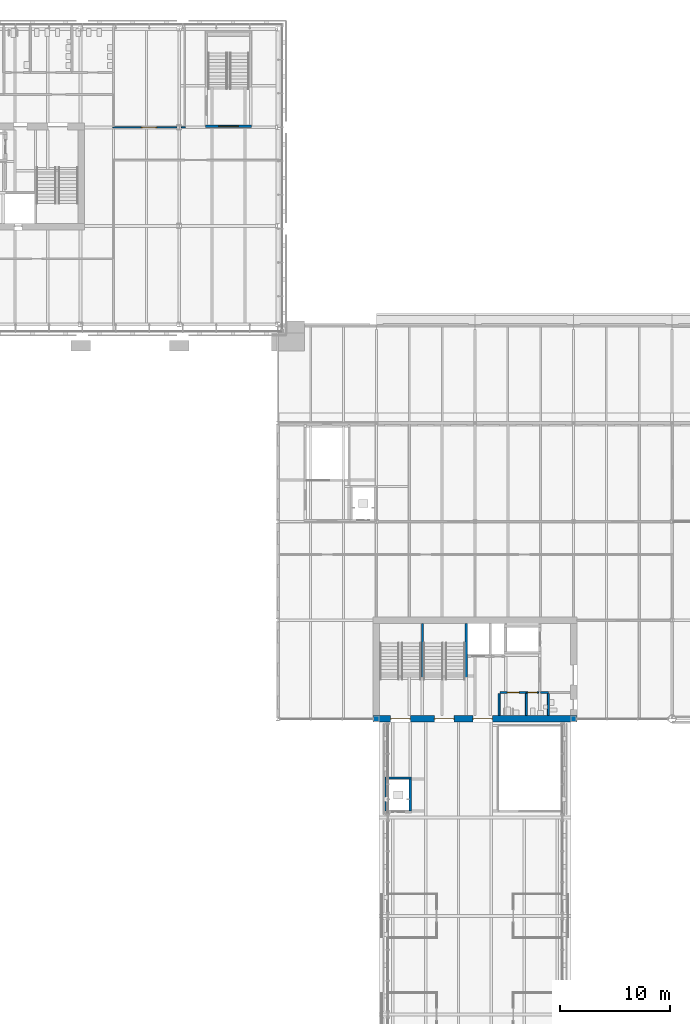
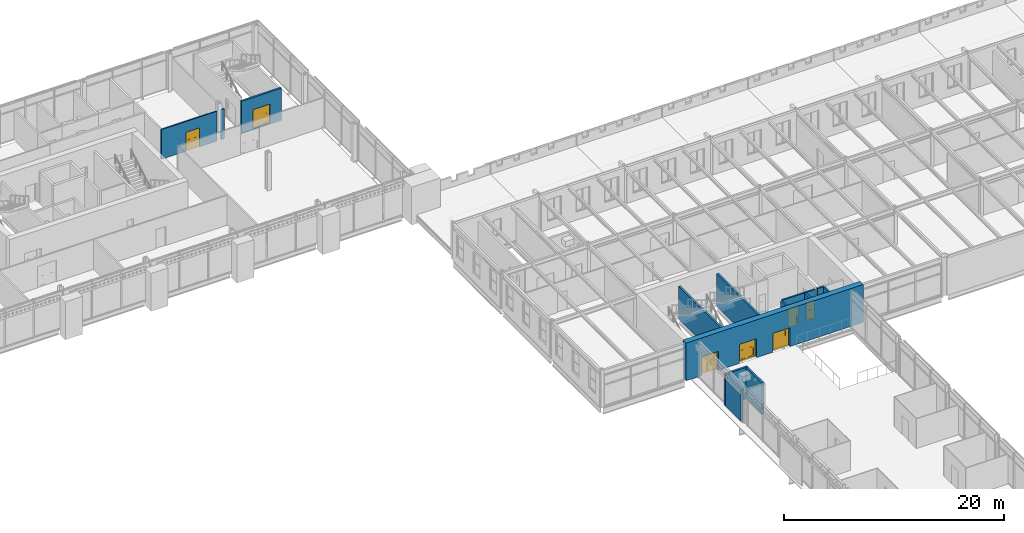
# One storey, part 70 of 123: 15 walls, 7 doors, 7 openings.
"""IFC4 building model written with IfcOpenShell, lengths in metres."""

from ifc_helpers import new_model, si_unit, direction, frame, frame_2d, origin, place, context, subcontext, project, spatial, polyline, rectangle, outline, extrude, material, layer, layer_set, type_object, element, fill, save


model = new_model("IFC4")

# Units and contexts
model_context = context("Model", 3, precision=1e-05, world=origin(), true_north=direction((0.0, 1.0)))
body_context = subcontext(model_context, "Body", "Model", "MODEL_VIEW")
ifc_project = project(units=[si_unit("LENGTHUNIT", "METRE"), si_unit("AREAUNIT", "SQUARE_METRE"), si_unit("VOLUMEUNIT", "CUBIC_METRE"), si_unit("PLANEANGLEUNIT", "RADIAN"), si_unit("MASSUNIT", "GRAM", prefix="KILO")], contexts=[model_context])

# Site, building, storey
site_placement = place(None, origin())
site = spatial("IfcSite", under=ifc_project, at=site_placement, CompositionType="ELEMENT")
building_placement = place(site_placement, origin())
building = spatial("IfcBuilding", under=site, at=building_placement, Name="Baradari Gate Terminus", CompositionType="ELEMENT")
storey_placement = place(building_placement, frame((0.0, 0.0, 7.5)))
storey = spatial("IfcBuildingStorey", under=building, at=storey_placement, Name="L01", CompositionType="ELEMENT", Elevation=7.5)

# Wall, openings, doors
ifc_material_1 = material(Name="Concrete C40/50", Category="concrete")
ifc_layer_1 = layer(ifc_material_1, 0.60009765625)
ifc_layer_set_1 = layer_set([ifc_layer_1], Name="Concrete C40/50")
wall_type_1 = type_object("IfcWallType", Name="Abutment core wall CWL04 600", PredefinedType="SOLIDWALL", material=ifc_layer_set_1)
wall_1_placement = place(storey_placement, frame((71.699951171875, 81.0, 0.0), z_axis=(0.0, 0.0, 1.0), x_axis=(1.0, 0.0, 0.0)))
wall_1 = element("IfcWall", 1, at=wall_1_placement, inside=storey, type_object=wall_type_1, Name="Abutment core wall GN S L01", PredefinedType="SOLIDWALL", context=body_context, shape_type="SweptSolid", body=[
    extrude(rectangle(XDim=18.60009765625, YDim=0.60009765625, at=frame_2d((9.300048828125, 0.0))), origin(), (0.0, 0.0, 1.0), 4.199951171875),
])
opening_1_placement = place(wall_1_placement, frame((1.60009765625, 0.0, 0.0)))
opening_1 = element("IfcOpeningElement", 2, at=opening_1_placement, cuts=wall_1, Name="Opening D01-090", PredefinedType="OPENING", context=body_context, shape_type="SweptSolid", body=[
    extrude(rectangle(XDim=1.800048828125, YDim=2.10009765625, at=frame_2d((0.89990234375, 1.050048828125))), frame((0.0, 0.31005859375, 0.0), z_axis=(0.0, -1.0, 0.0), x_axis=(1.0, 0.0, 0.0)), (0.0, 0.0, 1.0), 0.6201171875),
])
opening_2_placement = place(wall_1_placement, frame((5.60009765625, 0.0, 0.0)))
opening_2 = element("IfcOpeningElement", 3, at=opening_2_placement, cuts=wall_1, Name="Opening D01-091", PredefinedType="OPENING", context=body_context, shape_type="SweptSolid", body=[
    extrude(rectangle(XDim=1.800048828125, YDim=2.10009765625, at=frame_2d((0.89990234375, 1.050048828125))), frame((0.0, 0.31005859375, 0.0), z_axis=(0.0, -1.0, 0.0), x_axis=(1.0, 0.0, 0.0)), (0.0, 0.0, 1.0), 0.6201171875),
])
opening_3_placement = place(wall_1_placement, frame((9.10009765625, 0.0, 0.0)))
opening_3 = element("IfcOpeningElement", 4, at=opening_3_placement, cuts=wall_1, Name="Opening D01-092", PredefinedType="OPENING", context=body_context, shape_type="SweptSolid", body=[
    extrude(rectangle(XDim=1.800048828125, YDim=2.10009765625, at=frame_2d((0.89990234375, 1.050048828125))), frame((0.0, 0.31005859375, 0.0), z_axis=(0.0, -1.0, 0.0), x_axis=(1.0, 0.0, 0.0)), (0.0, 0.0, 1.0), 0.6201171875),
])
ifc_material_2 = material(Name="Steel S275", Category="steel")
door_type_1 = type_object("IfcDoorType", Name="Fire door FI-1800-FD90S 1800x2100 FD90S", OperationType="DOUBLE_DOOR_SINGLE_SWING", PredefinedType="DOOR", material=ifc_material_2)
door_1_placement = place(opening_1_placement, origin())
door_1 = element("IfcDoor", 5, at=door_1_placement, inside=storey, type_object=door_type_1, Name="Door Stair (Gate North) 1", OperationType="DOUBLE_DOOR_SINGLE_SWING", OverallHeight=2.1, OverallWidth=1.8, PredefinedType="DOOR", context=body_context, shape_type="SweptSolid", body=[
    extrude(outline(polyline([(0.0, 0.0), (0.070068359375, 0.0), (0.070068359375, 2.030029296875), (1.72998046875, 2.030029296875), (1.72998046875, 0.0), (1.800048828125, 0.0), (1.800048828125, 2.10009765625), (0.0, 2.10009765625), (0.0, 0.0)])), frame((0.0, 0.02490234375, 0.0), z_axis=(0.0, -1.0, 0.0), x_axis=(1.0, 0.0, 0.0)), (0.0, 0.0, 1.0), 0.050048828125),
    extrude(outline(polyline([(0.073974609375, 0.010009765625), (0.89697265625, 0.010009765625), (0.89697265625, 2.026123046875), (0.073974609375, 2.026123046875), (0.073974609375, 0.010009765625)]), holes=[polyline([(0.194091796875, 0.159912109375), (0.77685546875, 0.159912109375), (0.77685546875, 1.010009765625), (0.194091796875, 1.010009765625), (0.194091796875, 0.159912109375)]), polyline([(0.33544921875, 1.159912109375), (0.635498046875, 1.159912109375), (0.635498046875, 1.760009765625), (0.33544921875, 1.760009765625), (0.33544921875, 1.159912109375)])]), frame((0.0, 0.017333984375, 0.0), z_axis=(0.0, -1.0, 0.0), x_axis=(1.0, 0.0, 0.0)), (0.0, 0.0, 1.0), 0.034912109375),
    extrude(rectangle(XDim=0.582763671875, YDim=0.85009765625, at=frame_2d((0.4853515625, 0.5849609375))), frame((0.0, 0.008544921875, 0.0), z_axis=(0.0, -1.0, 0.0), x_axis=(1.0, 0.0, 0.0)), (0.0, 0.0, 1.0), 0.017333984375),
    extrude(rectangle(XDim=0.300048828125, YDim=0.60009765625, at=frame_2d((0.4853515625, 1.4599609375))), frame((0.0, 0.005859375, 0.0), z_axis=(0.0, -1.0, 0.0), x_axis=(1.0, 0.0, 0.0)), (0.0, 0.0, 1.0), 0.011962890625),
    extrude(outline(polyline([(0.903076171875, 0.010009765625), (1.72607421875, 0.010009765625), (1.72607421875, 2.026123046875), (0.903076171875, 2.026123046875), (0.903076171875, 0.010009765625)]), holes=[polyline([(1.023193359375, 0.159912109375), (1.60595703125, 0.159912109375), (1.60595703125, 1.010009765625), (1.023193359375, 1.010009765625), (1.023193359375, 0.159912109375)]), polyline([(1.16455078125, 1.159912109375), (1.464599609375, 1.159912109375), (1.464599609375, 1.760009765625), (1.16455078125, 1.760009765625), (1.16455078125, 1.159912109375)])]), frame((0.0, 0.017333984375, 0.0), z_axis=(0.0, -1.0, 0.0), x_axis=(1.0, 0.0, 0.0)), (0.0, 0.0, 1.0), 0.034912109375),
    extrude(rectangle(XDim=0.582763671875, YDim=0.85009765625, at=frame_2d((1.314453125, 0.5849609375))), frame((0.0, 0.008544921875, 0.0), z_axis=(0.0, -1.0, 0.0), x_axis=(1.0, 0.0, 0.0)), (0.0, 0.0, 1.0), 0.017333984375),
    extrude(rectangle(XDim=0.300048828125, YDim=0.60009765625, at=frame_2d((1.314453125, 1.4599609375))), frame((0.0, 0.005859375, 0.0), z_axis=(0.0, -1.0, 0.0), x_axis=(1.0, 0.0, 0.0)), (0.0, 0.0, 1.0), 0.011962890625),
])
fill(opening_1, door_1)
door_2_placement = place(opening_2_placement, origin())
door_2 = element("IfcDoor", 6, at=door_2_placement, inside=storey, type_object=door_type_1, Name="Door Stair (Gate North) 2", OperationType="DOUBLE_DOOR_SINGLE_SWING", OverallHeight=2.1, OverallWidth=1.8, PredefinedType="DOOR", context=body_context, shape_type="SweptSolid", body=[
    extrude(outline(polyline([(0.0, 0.0), (0.070068359375, 0.0), (0.070068359375, 2.030029296875), (1.72998046875, 2.030029296875), (1.72998046875, 0.0), (1.800048828125, 0.0), (1.800048828125, 2.10009765625), (0.0, 2.10009765625), (0.0, 0.0)])), frame((0.0, 0.02490234375, 0.0), z_axis=(0.0, -1.0, 0.0), x_axis=(1.0, 0.0, 0.0)), (0.0, 0.0, 1.0), 0.050048828125),
    extrude(outline(polyline([(0.073974609375, 0.010009765625), (0.89697265625, 0.010009765625), (0.89697265625, 2.026123046875), (0.073974609375, 2.026123046875), (0.073974609375, 0.010009765625)]), holes=[polyline([(0.194091796875, 0.159912109375), (0.77685546875, 0.159912109375), (0.77685546875, 1.010009765625), (0.194091796875, 1.010009765625), (0.194091796875, 0.159912109375)]), polyline([(0.33544921875, 1.159912109375), (0.635498046875, 1.159912109375), (0.635498046875, 1.760009765625), (0.33544921875, 1.760009765625), (0.33544921875, 1.159912109375)])]), frame((0.0, 0.017333984375, 0.0), z_axis=(0.0, -1.0, 0.0), x_axis=(1.0, 0.0, 0.0)), (0.0, 0.0, 1.0), 0.034912109375),
    extrude(rectangle(XDim=0.582763671875, YDim=0.85009765625, at=frame_2d((0.4853515625, 0.5849609375))), frame((0.0, 0.008544921875, 0.0), z_axis=(0.0, -1.0, 0.0), x_axis=(1.0, 0.0, 0.0)), (0.0, 0.0, 1.0), 0.017333984375),
    extrude(rectangle(XDim=0.300048828125, YDim=0.60009765625, at=frame_2d((0.4853515625, 1.4599609375))), frame((0.0, 0.005859375, 0.0), z_axis=(0.0, -1.0, 0.0), x_axis=(1.0, 0.0, 0.0)), (0.0, 0.0, 1.0), 0.011962890625),
    extrude(outline(polyline([(0.903076171875, 0.010009765625), (1.72607421875, 0.010009765625), (1.72607421875, 2.026123046875), (0.903076171875, 2.026123046875), (0.903076171875, 0.010009765625)]), holes=[polyline([(1.023193359375, 0.159912109375), (1.60595703125, 0.159912109375), (1.60595703125, 1.010009765625), (1.023193359375, 1.010009765625), (1.023193359375, 0.159912109375)]), polyline([(1.16455078125, 1.159912109375), (1.464599609375, 1.159912109375), (1.464599609375, 1.760009765625), (1.16455078125, 1.760009765625), (1.16455078125, 1.159912109375)])]), frame((0.0, 0.017333984375, 0.0), z_axis=(0.0, -1.0, 0.0), x_axis=(1.0, 0.0, 0.0)), (0.0, 0.0, 1.0), 0.034912109375),
    extrude(rectangle(XDim=0.582763671875, YDim=0.85009765625, at=frame_2d((1.314453125, 0.5849609375))), frame((0.0, 0.008544921875, 0.0), z_axis=(0.0, -1.0, 0.0), x_axis=(1.0, 0.0, 0.0)), (0.0, 0.0, 1.0), 0.017333984375),
    extrude(rectangle(XDim=0.300048828125, YDim=0.60009765625, at=frame_2d((1.314453125, 1.4599609375))), frame((0.0, 0.005859375, 0.0), z_axis=(0.0, -1.0, 0.0), x_axis=(1.0, 0.0, 0.0)), (0.0, 0.0, 1.0), 0.011962890625),
])
fill(opening_2, door_2)
door_3_placement = place(opening_3_placement, origin())
door_3 = element("IfcDoor", 7, at=door_3_placement, inside=storey, type_object=door_type_1, Name="Door Lift Lobby", OperationType="DOUBLE_DOOR_SINGLE_SWING", OverallHeight=2.1, OverallWidth=1.8, PredefinedType="DOOR", context=body_context, shape_type="SweptSolid", body=[
    extrude(outline(polyline([(0.0, 0.0), (0.070068359375, 0.0), (0.070068359375, 2.030029296875), (1.72998046875, 2.030029296875), (1.72998046875, 0.0), (1.800048828125, 0.0), (1.800048828125, 2.10009765625), (0.0, 2.10009765625), (0.0, 0.0)])), frame((0.0, 0.02490234375, 0.0), z_axis=(0.0, -1.0, 0.0), x_axis=(1.0, 0.0, 0.0)), (0.0, 0.0, 1.0), 0.050048828125),
    extrude(outline(polyline([(0.073974609375, 0.010009765625), (0.89697265625, 0.010009765625), (0.89697265625, 2.026123046875), (0.073974609375, 2.026123046875), (0.073974609375, 0.010009765625)]), holes=[polyline([(0.194091796875, 0.159912109375), (0.77685546875, 0.159912109375), (0.77685546875, 1.010009765625), (0.194091796875, 1.010009765625), (0.194091796875, 0.159912109375)]), polyline([(0.33544921875, 1.159912109375), (0.635498046875, 1.159912109375), (0.635498046875, 1.760009765625), (0.33544921875, 1.760009765625), (0.33544921875, 1.159912109375)])]), frame((0.0, 0.017333984375, 0.0), z_axis=(0.0, -1.0, 0.0), x_axis=(1.0, 0.0, 0.0)), (0.0, 0.0, 1.0), 0.034912109375),
    extrude(rectangle(XDim=0.582763671875, YDim=0.85009765625, at=frame_2d((0.4853515625, 0.5849609375))), frame((0.0, 0.008544921875, 0.0), z_axis=(0.0, -1.0, 0.0), x_axis=(1.0, 0.0, 0.0)), (0.0, 0.0, 1.0), 0.017333984375),
    extrude(rectangle(XDim=0.300048828125, YDim=0.60009765625, at=frame_2d((0.4853515625, 1.4599609375))), frame((0.0, 0.005859375, 0.0), z_axis=(0.0, -1.0, 0.0), x_axis=(1.0, 0.0, 0.0)), (0.0, 0.0, 1.0), 0.011962890625),
    extrude(outline(polyline([(0.903076171875, 0.010009765625), (1.72607421875, 0.010009765625), (1.72607421875, 2.026123046875), (0.903076171875, 2.026123046875), (0.903076171875, 0.010009765625)]), holes=[polyline([(1.023193359375, 0.159912109375), (1.60595703125, 0.159912109375), (1.60595703125, 1.010009765625), (1.023193359375, 1.010009765625), (1.023193359375, 0.159912109375)]), polyline([(1.16455078125, 1.159912109375), (1.464599609375, 1.159912109375), (1.464599609375, 1.760009765625), (1.16455078125, 1.760009765625), (1.16455078125, 1.159912109375)])]), frame((0.0, 0.017333984375, 0.0), z_axis=(0.0, -1.0, 0.0), x_axis=(1.0, 0.0, 0.0)), (0.0, 0.0, 1.0), 0.034912109375),
    extrude(rectangle(XDim=0.582763671875, YDim=0.85009765625, at=frame_2d((1.314453125, 0.5849609375))), frame((0.0, 0.008544921875, 0.0), z_axis=(0.0, -1.0, 0.0), x_axis=(1.0, 0.0, 0.0)), (0.0, 0.0, 1.0), 0.017333984375),
    extrude(rectangle(XDim=0.300048828125, YDim=0.60009765625, at=frame_2d((1.314453125, 1.4599609375))), frame((0.0, 0.005859375, 0.0), z_axis=(0.0, -1.0, 0.0), x_axis=(1.0, 0.0, 0.0)), (0.0, 0.0, 1.0), 0.011962890625),
])
fill(opening_3, door_3)

# Wall, opening, door
ifc_material_3 = material(Name="Gypsum board")
ifc_layer_2 = layer(ifc_material_3, 0.125)
ifc_layer_set_2 = layer_set([ifc_layer_2], Name="Gypsum board")
wall_type_2 = type_object("IfcWallType", Name="Corridor partition PT-5 125 EI 30", PredefinedType="PARTITIONING", material=ifc_layer_set_2)
wall_2_placement = place(storey_placement, frame((47.9375, 135.0, 0.0), z_axis=(0.0, 0.0, 1.0), x_axis=(1.0, 0.0, 0.0)))
wall_2 = element("IfcWall", 8, at=wall_2_placement, inside=storey, type_object=wall_type_2, Name="PT-5 partition Corridor / Prayer Room", PredefinedType="PARTITIONING", context=body_context, shape_type="SweptSolid", body=[
    extrude(rectangle(XDim=5.8564453125, YDim=0.125, at=frame_2d((2.92822265625, 0.0))), origin(), (0.0, 0.0, 1.0), 3.306884765625),
])
opening_4_placement = place(wall_2_placement, frame((2.612548828125, 0.0, 0.0)))
opening_4 = element("IfcOpeningElement", 9, at=opening_4_placement, cuts=wall_2, Name="Opening D01-031", PredefinedType="OPENING", context=body_context, shape_type="SweptSolid", body=[
    extrude(rectangle(XDim=1.39990234375, YDim=2.10009765625, at=frame_2d((0.699951171875, 1.050048828125))), frame((0.0, 0.072509765625, 0.0), z_axis=(0.0, -1.0, 0.0), x_axis=(1.0, 0.0, 0.0)), (0.0, 0.0, 1.0), 0.14501953125),
])
ifc_material_4 = material(Name="Steel S275", Category="steel")
door_type_2 = type_object("IfcDoorType", Name="Fire door FI-1400-FD30S 1400x2100 FD30S", OperationType="DOUBLE_DOOR_SINGLE_SWING", PredefinedType="DOOR", material=ifc_material_4)
door_4_placement = place(opening_4_placement, origin())
door_4 = element("IfcDoor", 10, at=door_4_placement, inside=storey, type_object=door_type_2, Name="Door Prayer Room", OperationType="DOUBLE_DOOR_SINGLE_SWING", OverallHeight=2.1, OverallWidth=1.4, PredefinedType="DOOR", context=body_context, shape_type="SweptSolid", body=[
    extrude(outline(polyline([(0.0, 0.0), (0.070068359375, 0.0), (0.070068359375, 2.030029296875), (1.329833984375, 2.030029296875), (1.329833984375, 0.0), (1.39990234375, 0.0), (1.39990234375, 2.10009765625), (0.0, 2.10009765625), (0.0, 0.0)])), frame((0.0, 0.02490234375, 0.0), z_axis=(0.0, -1.0, 0.0), x_axis=(1.0, 0.0, 0.0)), (0.0, 0.0, 1.0), 0.050048828125),
    extrude(outline(polyline([(0.073974609375, 0.010009765625), (0.69677734375, 0.010009765625), (0.69677734375, 2.026123046875), (0.073974609375, 2.026123046875), (0.073974609375, 0.010009765625)]), holes=[polyline([(0.194091796875, 0.159912109375), (0.576904296875, 0.159912109375), (0.576904296875, 1.010009765625), (0.194091796875, 1.010009765625), (0.194091796875, 0.159912109375)]), polyline([(0.2353515625, 1.159912109375), (0.535400390625, 1.159912109375), (0.535400390625, 1.760009765625), (0.2353515625, 1.760009765625), (0.2353515625, 1.159912109375)])]), frame((0.0, 0.017333984375, 0.0), z_axis=(0.0, -1.0, 0.0), x_axis=(1.0, 0.0, 0.0)), (0.0, 0.0, 1.0), 0.034912109375),
    extrude(rectangle(XDim=0.3828125, YDim=0.85009765625, at=frame_2d((0.385498046875, 0.5849609375))), frame((0.0, 0.008544921875, 0.0), z_axis=(0.0, -1.0, 0.0), x_axis=(1.0, 0.0, 0.0)), (0.0, 0.0, 1.0), 0.017333984375),
    extrude(rectangle(XDim=0.300048828125, YDim=0.60009765625, at=frame_2d((0.38525390625, 1.4599609375))), frame((0.0, 0.005859375, 0.0), z_axis=(0.0, -1.0, 0.0), x_axis=(1.0, 0.0, 0.0)), (0.0, 0.0, 1.0), 0.011962890625),
    extrude(outline(polyline([(0.703125, 0.010009765625), (1.325927734375, 0.010009765625), (1.325927734375, 2.026123046875), (0.703125, 2.026123046875), (0.703125, 0.010009765625)]), holes=[polyline([(0.822998046875, 0.159912109375), (1.205810546875, 0.159912109375), (1.205810546875, 1.010009765625), (0.822998046875, 1.010009765625), (0.822998046875, 0.159912109375)]), polyline([(0.864501953125, 1.159912109375), (1.16455078125, 1.159912109375), (1.16455078125, 1.760009765625), (0.864501953125, 1.760009765625), (0.864501953125, 1.159912109375)])]), frame((0.0, 0.017333984375, 0.0), z_axis=(0.0, -1.0, 0.0), x_axis=(1.0, 0.0, 0.0)), (0.0, 0.0, 1.0), 0.034912109375),
    extrude(rectangle(XDim=0.3828125, YDim=0.85009765625, at=frame_2d((1.014404296875, 0.5849609375))), frame((0.0, 0.008544921875, 0.0), z_axis=(0.0, -1.0, 0.0), x_axis=(1.0, 0.0, 0.0)), (0.0, 0.0, 1.0), 0.017333984375),
    extrude(rectangle(XDim=0.300048828125, YDim=0.60009765625, at=frame_2d((1.0146484375, 1.4599609375))), frame((0.0, 0.005859375, 0.0), z_axis=(0.0, -1.0, 0.0), x_axis=(1.0, 0.0, 0.0)), (0.0, 0.0, 1.0), 0.011962890625),
])
fill(opening_4, door_4)

# Walls
wall_3_placement = place(storey_placement, frame((54.2060546875, 135.0, 0.0), z_axis=(0.0, 0.0, 1.0), x_axis=(1.0, 0.0, 0.0)))
element("IfcWall", 11, at=wall_3_placement, inside=storey, type_object=wall_type_2, Name="PT-5 partition Corridor / Prayer Room", PredefinedType="PARTITIONING", context=body_context, shape_type="SweptSolid", body=[
    extrude(rectangle(XDim=0.3564453125, YDim=0.125, at=frame_2d((0.17822265625, 0.0))), origin(), (0.0, 0.0, 1.0), 3.306884765625),
])
ifc_material_5 = material(Name="Blockwork wall, fire rated", Category="masonry")
ifc_layer_3 = layer(ifc_material_5, 0.199951171875)
ifc_layer_set_3 = layer_set([ifc_layer_3], Name="Blockwork wall, fire rated")
wall_type_3 = type_object("IfcWallType", Name="Lift shaft wall SH-1 200 EI 120", PredefinedType="SOLIDWALL", material=ifc_layer_set_3)
wall_4_placement = place(storey_placement, frame((72.800048828125, 75.60009765625, 0.0), z_axis=(0.0, 0.0, 1.0), x_axis=(1.0, 0.0, 0.0)))
element("IfcWall", 12, at=wall_4_placement, inside=storey, type_object=wall_type_3, Name="Lift shaft wall LP2 L01 N", PredefinedType="SOLIDWALL", context=body_context, shape_type="SweptSolid", body=[
    extrude(rectangle(XDim=2.39990234375, YDim=0.199951171875, at=frame_2d((1.199951171875, 0.0))), origin(), (0.0, 0.0, 1.0), 3.51611328125),
])
for number, where, z_axis, x_axis, name in (
    (13, (72.89990234375, 72.60009765625, 0.0), (0.0, 0.0, 1.0), (0.0, 1.0, 0.0), "Lift shaft wall LP2 L01 W"),
    (14, (75.10009765625, 72.60009765625, 0.0), (0.0, 0.0, 1.0), (0.0, 1.0, 0.0), "Lift shaft wall LP2 L01 E"),
):
    element("IfcWall", number, at=place(storey_placement, frame(where, z_axis=z_axis, x_axis=x_axis)), inside=storey, type_object=wall_type_3, Name=name, PredefinedType="SOLIDWALL", context=body_context, shape_type="SweptSolid", body=[
        extrude(rectangle(XDim=2.89990234375, YDim=0.199951171875, at=frame_2d((1.449951171875, 0.0))), origin(), (0.0, 0.0, 1.0), 3.51611328125),
    ])

# Wall, opening, door
ifc_material_6 = material(Name="Concrete C40/50", Category="concrete")
ifc_layer_4 = layer(ifc_material_6, 0.199951171875)
ifc_layer_set_4 = layer_set([ifc_layer_4], Name="Concrete C40/50")
wall_type_4 = type_object("IfcWallType", Name="Stair enclosure wall SE-2 200 EI 120", PredefinedType="SOLIDWALL", material=ifc_layer_set_4)
wall_5_placement = place(storey_placement, frame((56.39990234375, 135.10009765625, -0.1298828125), z_axis=(0.0, 0.0, 1.0), x_axis=(1.0, 0.0, 0.0)))
wall_5 = element("IfcWall", 15, at=wall_5_placement, inside=storey, type_object=wall_type_4, Name="Stair enclosure wall SE-2 ST-T3 L01 S", PredefinedType="SOLIDWALL", context=body_context, shape_type="SweptSolid", body=[
    extrude(rectangle(XDim=4.2001953125, YDim=0.199951171875, at=frame_2d((2.10009765625, 0.0))), origin(), (0.0, 0.0, 1.0), 3.5869140625),
])
opening_5_placement = place(wall_5_placement, frame((1.199951171875, 0.0, 0.1298828125)))
opening_5 = element("IfcOpeningElement", 16, at=opening_5_placement, cuts=wall_5, Name="Opening D01-023", PredefinedType="OPENING", context=body_context, shape_type="SweptSolid", body=[
    extrude(rectangle(XDim=1.800048828125, YDim=2.10009765625, at=frame_2d((0.89990234375, 1.050048828125))), frame((0.0, 0.10986328125, 0.0), z_axis=(0.0, -1.0, 0.0), x_axis=(1.0, 0.0, 0.0)), (0.0, 0.0, 1.0), 0.219970703125),
])
door_5_placement = place(opening_5_placement, origin())
door_5 = element("IfcDoor", 17, at=door_5_placement, inside=storey, type_object=door_type_1, Name="Door Stair (East Core)", OperationType="DOUBLE_DOOR_SINGLE_SWING", OverallHeight=2.1, OverallWidth=1.8, PredefinedType="DOOR", context=body_context, shape_type="SweptSolid", body=[
    extrude(outline(polyline([(0.0, 0.0), (0.070068359375, 0.0), (0.070068359375, 2.030029296875), (1.72998046875, 2.030029296875), (1.72998046875, 0.0), (1.800048828125, 0.0), (1.800048828125, 2.10009765625), (0.0, 2.10009765625), (0.0, 0.0)])), frame((0.0, 0.02490234375, 0.0), z_axis=(0.0, -1.0, 0.0), x_axis=(1.0, 0.0, 0.0)), (0.0, 0.0, 1.0), 0.050048828125),
    extrude(outline(polyline([(0.073974609375, 0.010009765625), (0.89697265625, 0.010009765625), (0.89697265625, 2.026123046875), (0.073974609375, 2.026123046875), (0.073974609375, 0.010009765625)]), holes=[polyline([(0.194091796875, 0.159912109375), (0.77685546875, 0.159912109375), (0.77685546875, 1.010009765625), (0.194091796875, 1.010009765625), (0.194091796875, 0.159912109375)]), polyline([(0.33544921875, 1.159912109375), (0.635498046875, 1.159912109375), (0.635498046875, 1.760009765625), (0.33544921875, 1.760009765625), (0.33544921875, 1.159912109375)])]), frame((0.0, 0.017333984375, 0.0), z_axis=(0.0, -1.0, 0.0), x_axis=(1.0, 0.0, 0.0)), (0.0, 0.0, 1.0), 0.034912109375),
    extrude(rectangle(XDim=0.582763671875, YDim=0.85009765625, at=frame_2d((0.4853515625, 0.5849609375))), frame((0.0, 0.008544921875, 0.0), z_axis=(0.0, -1.0, 0.0), x_axis=(1.0, 0.0, 0.0)), (0.0, 0.0, 1.0), 0.017333984375),
    extrude(rectangle(XDim=0.300048828125, YDim=0.60009765625, at=frame_2d((0.4853515625, 1.4599609375))), frame((0.0, 0.005859375, 0.0), z_axis=(0.0, -1.0, 0.0), x_axis=(1.0, 0.0, 0.0)), (0.0, 0.0, 1.0), 0.011962890625),
    extrude(outline(polyline([(0.903076171875, 0.010009765625), (1.72607421875, 0.010009765625), (1.72607421875, 2.026123046875), (0.903076171875, 2.026123046875), (0.903076171875, 0.010009765625)]), holes=[polyline([(1.023193359375, 0.159912109375), (1.60595703125, 0.159912109375), (1.60595703125, 1.010009765625), (1.023193359375, 1.010009765625), (1.023193359375, 0.159912109375)]), polyline([(1.16455078125, 1.159912109375), (1.464599609375, 1.159912109375), (1.464599609375, 1.760009765625), (1.16455078125, 1.760009765625), (1.16455078125, 1.159912109375)])]), frame((0.0, 0.017333984375, 0.0), z_axis=(0.0, -1.0, 0.0), x_axis=(1.0, 0.0, 0.0)), (0.0, 0.0, 1.0), 0.034912109375),
    extrude(rectangle(XDim=0.582763671875, YDim=0.85009765625, at=frame_2d((1.314453125, 0.5849609375))), frame((0.0, 0.008544921875, 0.0), z_axis=(0.0, -1.0, 0.0), x_axis=(1.0, 0.0, 0.0)), (0.0, 0.0, 1.0), 0.017333984375),
    extrude(rectangle(XDim=0.300048828125, YDim=0.60009765625, at=frame_2d((1.314453125, 1.4599609375))), frame((0.0, 0.005859375, 0.0), z_axis=(0.0, -1.0, 0.0), x_axis=(1.0, 0.0, 0.0)), (0.0, 0.0, 1.0), 0.011962890625),
])
fill(opening_5, door_5)

# Walls
ifc_material_7 = material(Name="Concrete C40/50", Category="concrete")
ifc_layer_5 = layer(ifc_material_7, 0.199951171875)
ifc_layer_set_5 = layer_set([ifc_layer_5], Name="Concrete C40/50")
wall_type_5 = type_object("IfcWallType", Name="Stair enclosure wall SE-4 200 EI 120", PredefinedType="SOLIDWALL", material=ifc_layer_set_5)
for number, where, z_axis, x_axis, name in (
    (18, (76.199951171875, 81.302001953125, -0.1298828125), (0.0, 0.0, 1.0), (0.0, 1.0, 0.0), "Stair enclosure wall SE-4 ST-GN1 L01 E"),
    (19, (80.199951171875, 81.302001953125, -0.1298828125), (0.0, 0.0, 1.0), (0.0, 1.0, 0.0), "Stair enclosure wall SE-4 ST-GN2 L01 E"),
):
    element("IfcWall", number, at=place(storey_placement, frame(where, z_axis=z_axis, x_axis=x_axis)), inside=storey, type_object=wall_type_5, Name=name, PredefinedType="SOLIDWALL", context=body_context, shape_type="SweptSolid", body=[
        extrude(rectangle(XDim=8.39599609375, YDim=0.199951171875, at=frame_2d((4.197998046875, 0.0))), origin(), (0.0, 0.0, 1.0), 3.64599609375),
    ])

# Wall, opening, door
ifc_material_8 = material(Name="Blockwork wall, tiled both faces", Category="masonry")
ifc_layer_6 = layer(ifc_material_8, 0.175048828125)
ifc_layer_set_6 = layer_set([ifc_layer_6], Name="Blockwork wall, tiled both faces")
wall_type_6 = type_object("IfcWallType", Name="WC wet wall PT-6 175 EI 60", PredefinedType="PARTITIONING", material=ifc_layer_set_6)
wall_6_placement = place(storey_placement, frame((85.699951171875, 83.39990234375, 0.0), z_axis=(0.0, 0.0, 1.0), x_axis=(-1.0, 0.0, 0.0)))
wall_6 = element("IfcWall", 20, at=wall_6_placement, inside=storey, type_object=wall_type_6, Name="PT-6 partition Lift Lobby / Accessible WC", PredefinedType="PARTITIONING", context=body_context, shape_type="SweptSolid", body=[
    extrude(rectangle(XDim=2.39990234375, YDim=0.175048828125, at=frame_2d((1.199951171875, 0.0))), origin(), (0.0, 0.0, 1.0), 3.306884765625),
])
opening_6_placement = place(wall_6_placement, frame((0.64990234375, 0.0, 0.0)))
opening_6 = element("IfcOpeningElement", 21, at=opening_6_placement, cuts=wall_6, Name="Opening D01-096", PredefinedType="OPENING", context=body_context, shape_type="SweptSolid", body=[
    extrude(rectangle(XDim=1.10009765625, YDim=2.10009765625, at=frame_2d((0.550048828125, 1.050048828125))), frame((0.0, 0.097412109375, 0.0), z_axis=(0.0, -1.0, 0.0), x_axis=(1.0, 0.0, 0.0)), (0.0, 0.0, 1.0), 0.195068359375),
])
ifc_material_9 = material(Name="Steel S275", Category="steel")
door_type_3 = type_object("IfcDoorType", Name="Fire door FI-1100-FD60S 1100x2100 FD60S", OperationType="SINGLE_SWING_LEFT", PredefinedType="DOOR", material=ifc_material_9)
door_6_placement = place(opening_6_placement, origin())
door_6 = element("IfcDoor", 22, at=door_6_placement, inside=storey, type_object=door_type_3, Name="Door Accessible WC", OperationType="SINGLE_SWING_LEFT", OverallHeight=2.1, OverallWidth=1.1, PredefinedType="DOOR", context=body_context, shape_type="SweptSolid", body=[
    extrude(outline(polyline([(0.0, 0.0), (0.070068359375, 0.0), (0.070068359375, 2.030029296875), (1.030029296875, 2.030029296875), (1.030029296875, 0.0), (1.10009765625, 0.0), (1.10009765625, 2.10009765625), (0.0, 2.10009765625), (0.0, 0.0)])), frame((0.0, 0.02490234375, 0.0), z_axis=(0.0, -1.0, 0.0), x_axis=(1.0, 0.0, 0.0)), (0.0, 0.0, 1.0), 0.050048828125),
    extrude(outline(polyline([(0.073974609375, 0.010009765625), (1.026123046875, 0.010009765625), (1.026123046875, 2.026123046875), (0.073974609375, 2.026123046875), (0.073974609375, 0.010009765625)]), holes=[polyline([(0.194091796875, 0.159912109375), (0.906005859375, 0.159912109375), (0.906005859375, 1.010009765625), (0.194091796875, 1.010009765625), (0.194091796875, 0.159912109375)]), polyline([(0.400146484375, 1.159912109375), (0.699951171875, 1.159912109375), (0.699951171875, 1.760009765625), (0.400146484375, 1.760009765625), (0.400146484375, 1.159912109375)])]), frame((0.0, 0.017333984375, 0.0), z_axis=(0.0, -1.0, 0.0), x_axis=(1.0, 0.0, 0.0)), (0.0, 0.0, 1.0), 0.034912109375),
    extrude(rectangle(XDim=0.7119140625, YDim=0.85009765625, at=frame_2d((0.550048828125, 0.5849609375))), frame((0.0, 0.008544921875, 0.0), z_axis=(0.0, -1.0, 0.0), x_axis=(1.0, 0.0, 0.0)), (0.0, 0.0, 1.0), 0.017333984375),
    extrude(rectangle(XDim=0.2998046875, YDim=0.60009765625, at=frame_2d((0.550048828125, 1.4599609375))), frame((0.0, 0.005859375, 0.0), z_axis=(0.0, -1.0, 0.0), x_axis=(1.0, 0.0, 0.0)), (0.0, 0.0, 1.0), 0.011962890625),
])
fill(opening_6, door_6)

# Wall
wall_7_placement = place(storey_placement, frame((83.199951171875, 83.300048828125, 0.0), z_axis=(0.0, 0.0, 1.0), x_axis=(0.0, -1.0, 0.0)))
element("IfcWall", 23, at=wall_7_placement, inside=storey, type_object=wall_type_6, Name="PT-6 partition Lift Lobby / Accessible WC", PredefinedType="PARTITIONING", context=body_context, shape_type="SweptSolid", body=[
    extrude(rectangle(XDim=1.998046875, YDim=0.175048828125, at=frame_2d((0.9990234375, 0.0))), origin(), (0.0, 0.0, 1.0), 3.306884765625),
])

# Wall, opening, door
wall_8_placement = place(storey_placement, frame((86.800048828125, 83.39990234375, 0.0), z_axis=(0.0, 0.0, 1.0), x_axis=(-1.0, 0.0, 0.0)))
wall_8 = element("IfcWall", 24, at=wall_8_placement, inside=storey, type_object=wall_type_6, Name="PT-6 partition Lift Lobby / Male WC", PredefinedType="PARTITIONING", context=body_context, shape_type="SweptSolid", body=[
    extrude(rectangle(XDim=1.10009765625, YDim=0.175048828125, at=frame_2d((0.550048828125, 0.0))), origin(), (0.0, 0.0, 1.0), 3.306884765625),
])
opening_7_placement = place(wall_8_placement, frame((0.10009765625, 0.0, 0.0)))
opening_7 = element("IfcOpeningElement", 25, at=opening_7_placement, cuts=wall_8, Name="Opening D01-097", PredefinedType="OPENING", context=body_context, shape_type="SweptSolid", body=[
    extrude(rectangle(XDim=0.89990234375, YDim=2.10009765625, at=frame_2d((0.449951171875, 1.050048828125))), frame((0.0, 0.097412109375, 0.0), z_axis=(0.0, -1.0, 0.0), x_axis=(1.0, 0.0, 0.0)), (0.0, 0.0, 1.0), 0.195068359375),
])
ifc_material_10 = material(Name="Steel S275", Category="steel")
door_type_4 = type_object("IfcDoorType", Name="Fire door FI-900-FD60S 900x2100 FD60S", OperationType="SINGLE_SWING_LEFT", PredefinedType="DOOR", material=ifc_material_10)
door_7_placement = place(opening_7_placement, origin())
door_7 = element("IfcDoor", 26, at=door_7_placement, inside=storey, type_object=door_type_4, Name="Door Male WC", OperationType="SINGLE_SWING_RIGHT", OverallHeight=2.1, OverallWidth=0.9, PredefinedType="DOOR", context=body_context, shape_type="SweptSolid", body=[
    extrude(outline(polyline([(0.0, 0.0), (0.070068359375, 0.0), (0.070068359375, 2.030029296875), (0.829833984375, 2.030029296875), (0.829833984375, 0.0), (0.89990234375, 0.0), (0.89990234375, 2.10009765625), (0.0, 2.10009765625), (0.0, 0.0)])), frame((0.0, 0.02490234375, 0.0), z_axis=(0.0, -1.0, 0.0), x_axis=(1.0, 0.0, 0.0)), (0.0, 0.0, 1.0), 0.050048828125),
    extrude(outline(polyline([(0.073974609375, 0.010009765625), (0.825927734375, 0.010009765625), (0.825927734375, 2.026123046875), (0.073974609375, 2.026123046875), (0.073974609375, 0.010009765625)]), holes=[polyline([(0.194091796875, 0.159912109375), (0.705810546875, 0.159912109375), (0.705810546875, 1.010009765625), (0.194091796875, 1.010009765625), (0.194091796875, 0.159912109375)]), polyline([(0.300048828125, 1.159912109375), (0.599853515625, 1.159912109375), (0.599853515625, 1.760009765625), (0.300048828125, 1.760009765625), (0.300048828125, 1.159912109375)])]), frame((0.0, 0.017333984375, 0.0), z_axis=(0.0, -1.0, 0.0), x_axis=(1.0, 0.0, 0.0)), (0.0, 0.0, 1.0), 0.034912109375),
    extrude(rectangle(XDim=0.51171875, YDim=0.85009765625, at=frame_2d((0.449951171875, 0.5849609375))), frame((0.0, 0.008544921875, 0.0), z_axis=(0.0, -1.0, 0.0), x_axis=(1.0, 0.0, 0.0)), (0.0, 0.0, 1.0), 0.017333984375),
    extrude(rectangle(XDim=0.2998046875, YDim=0.60009765625, at=frame_2d((0.449951171875, 1.4599609375))), frame((0.0, 0.005859375, 0.0), z_axis=(0.0, -1.0, 0.0), x_axis=(1.0, 0.0, 0.0)), (0.0, 0.0, 1.0), 0.011962890625),
])
fill(opening_7, door_7)

# Walls
wall_9_placement = place(storey_placement, frame((87.699951171875, 83.39990234375, 0.0), z_axis=(0.0, 0.0, 1.0), x_axis=(-1.0, 0.0, 0.0)))
element("IfcWall", 27, at=wall_9_placement, inside=storey, type_object=wall_type_6, Name="PT-6 partition Lift Lobby (Fire-fighting) / Male WC", PredefinedType="PARTITIONING", context=body_context, shape_type="SweptSolid", body=[
    extrude(rectangle(XDim=0.699951171875, YDim=0.175048828125, at=frame_2d((0.35009765625, 0.0))), origin(), (0.0, 0.0, 1.0), 3.306884765625),
])
for number, where, z_axis, x_axis, name in (
    (28, (85.699951171875, 83.300048828125, 0.0), (0.0, 0.0, 1.0), (0.0, -1.0, 0.0), "PT-6 partition Accessible WC / Male WC"),
    (29, (87.699951171875, 83.300048828125, 0.0), (0.0, 0.0, 1.0), (0.0, -1.0, 0.0), "PT-6 partition Male WC / Female WC"),
):
    element("IfcWall", number, at=place(storey_placement, frame(where, z_axis=z_axis, x_axis=x_axis)), inside=storey, type_object=wall_type_6, Name=name, PredefinedType="PARTITIONING", context=body_context, shape_type="SweptSolid", body=[
        extrude(rectangle(XDim=1.998046875, YDim=0.175048828125, at=frame_2d((0.9990234375, 0.0))), origin(), (0.0, 0.0, 1.0), 3.306884765625),
    ])

save(model, "model.ifc")
